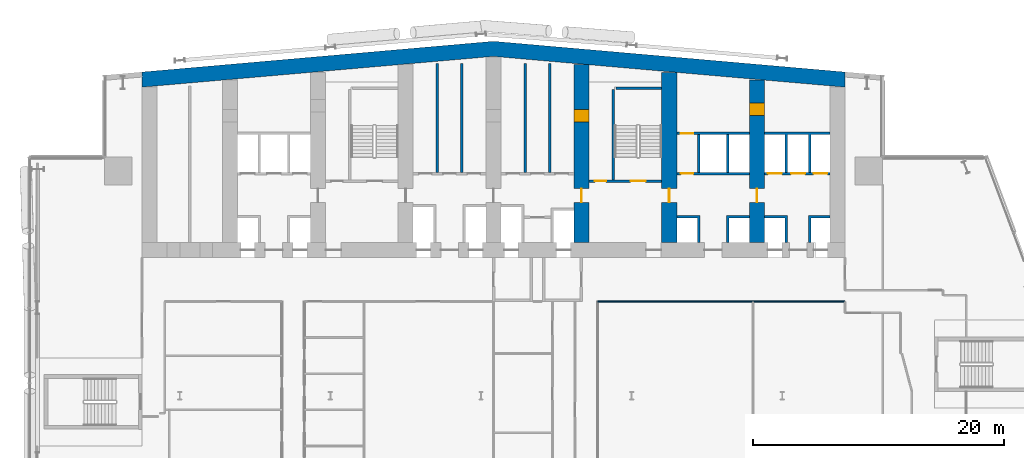
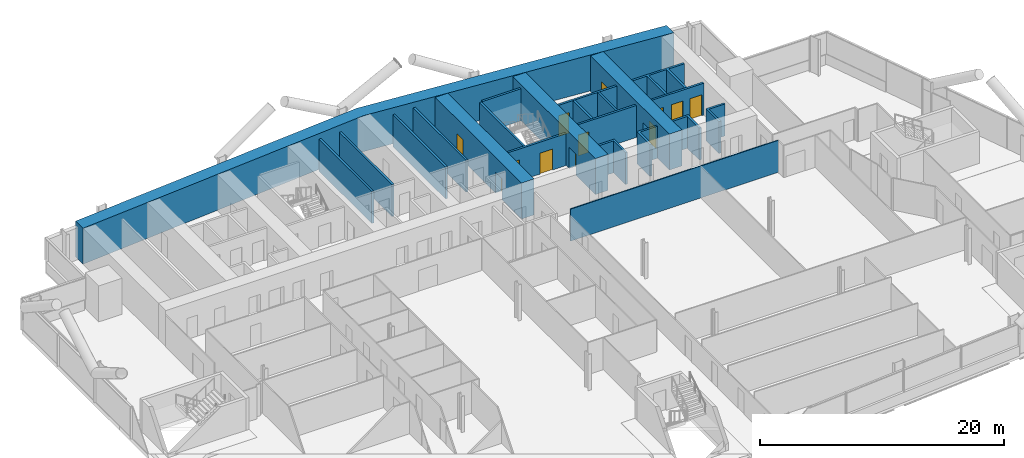
# One storey, part 17 of 27: 22 walls, 12 doors, 12 openings.
"""IFC4 building model written with IfcOpenShell, lengths in metres."""

from ifc_helpers import new_model, si_unit, direction, frame, frame_2d, origin, place, context, subcontext, project, spatial, polyline, rectangle, outline, extrude, material, layer, layer_set, type_object, element, fill, save


model = new_model("IFC4")

# Units and contexts
model_context = context("Model", 3, precision=1e-05, world=origin(), true_north=direction((0.0, 1.0)))
body_context = subcontext(model_context, "Body", "Model", "MODEL_VIEW")
ifc_project = project(units=[si_unit("LENGTHUNIT", "METRE"), si_unit("AREAUNIT", "SQUARE_METRE"), si_unit("VOLUMEUNIT", "CUBIC_METRE"), si_unit("PLANEANGLEUNIT", "RADIAN"), si_unit("MASSUNIT", "GRAM", prefix="KILO")], contexts=[model_context])

# Site, building, storey
site_placement = place(None, origin())
site = spatial("IfcSite", under=ifc_project, at=site_placement, CompositionType="ELEMENT")
building_placement = place(site_placement, origin())
building = spatial("IfcBuilding", under=site, at=building_placement, Name="Wharfspan Tower", CompositionType="ELEMENT")
storey_placement = place(building_placement, frame((0.0, 0.0, 73.899902)))
storey = spatial("IfcBuildingStorey", under=building, at=storey_placement, Name="L15", CompositionType="ELEMENT", Elevation=73.899902)

# Walls
ifc_material_1 = material(Name="Gypsum board on steel studs", Category="steel")
ifc_layer_1 = layer(ifc_material_1, 0.100098)
ifc_layer_set_1 = layer_set([ifc_layer_1], Name="Gypsum board on steel studs")
wall_type_1 = type_object("IfcWallType", Name="Compartment wall 100 EI 60", PredefinedType="PARTITIONING", material=ifc_layer_set_1)
wall_1_placement = place(storey_placement, frame((45.300049, 30.5, 0.0), z_axis=(0.0, 0.0, 1.0), x_axis=(1.0, 0.0, 0.0)))
element("IfcWall", 1, at=wall_1_placement, inside=storey, type_object=wall_type_1, Name="Partition L15.w045", PredefinedType="PARTITIONING", context=body_context, shape_type="SweptSolid", body=[
    extrude(rectangle(XDim=19.699951, YDim=0.100098, at=frame_2d((9.850098, 0.0))), origin(), (0.0, 0.0, 1.0), 3.200195),
])
ifc_material_2 = material(Name="Calcium silicate masonry", Category="masonry")
ifc_layer_2 = layer(ifc_material_2, 0.199951)
ifc_layer_set_2 = layer_set([ifc_layer_2], Name="Calcium silicate masonry")
wall_type_2 = type_object("IfcWallType", Name="Core room wall 200", PredefinedType="PARTITIONING", material=ifc_layer_set_2)
for number, where, z_axis, x_axis, name in (
    (2, (32.533203, 40.800049, 0.0), (0.0, 0.0, 1.0), (0.0, 1.0, 0.0), "sw:L15:RP3.1"),
    (3, (34.466797, 40.800049, 0.0), (0.0, 0.0, 1.0), (0.0, 1.0, 0.0), "sw:L15:RP3.2"),
    (4, (39.533203, 40.800049, 0.0), (0.0, 0.0, 1.0), (0.0, 1.0, 0.0), "sw:L15:RP4.1"),
    (5, (41.466797, 40.800049, 0.0), (0.0, 0.0, 1.0), (0.0, 1.0, 0.0), "sw:L15:RP4.2"),
):
    element("IfcWall", number, at=place(storey_placement, frame(where, z_axis=z_axis, x_axis=x_axis)), inside=storey, type_object=wall_type_2, Name=name, PredefinedType="PARTITIONING", context=body_context, shape_type="SweptSolid", body=[
        extrude(rectangle(XDim=8.652588, YDim=0.199951, at=frame_2d((4.326172, 0.0))), origin(), (0.0, 0.0, 1.0), 3.200195),
    ])
ifc_material_3 = material(Name="Concrete C70/85", Category="concrete")
ifc_layer_3 = layer(ifc_material_3, 1.199951)
ifc_layer_set_3 = layer_set([ifc_layer_3], Name="Concrete C70/85")
wall_type_3 = type_object("IfcWallType", Name="Core wall 1200 C70/85", PredefinedType="SHEAR", material=ifc_layer_set_3)
wall_2_placement = place(storey_placement, origin())
element("IfcWall", 6, at=wall_2_placement, inside=storey, type_object=wall_type_3, Name="Core rear wall L15", PredefinedType="SHEAR", context=body_context, shape_type="SweptSolid", body=[
    extrude(outline(polyline([(9.0, 47.582764), (37.0, 50.032471), (65.0, 47.582764), (65.0, 48.787354), (37.0, 51.237061), (9.0, 48.787354), (9.0, 47.582764)])), origin(), (0.0, 0.0, 1.0), 3.600098),
])

# Wall, openings, doors
wall_3_placement = place(storey_placement, frame((44.0, 35.199951, 0.0), z_axis=(0.0, 0.0, 1.0), x_axis=(0.0, 1.0, 0.0)))
wall_3 = element("IfcWall", 7, at=wall_3_placement, inside=storey, type_object=wall_type_3, Name="Core cross wall X5 L15", PredefinedType="SHEAR", context=body_context, shape_type="SweptSolid", body=[
    extrude(rectangle(XDim=14.167725, YDim=1.199951, at=frame_2d((7.083984, 0.0))), origin(), (0.0, 0.0, 1.0), 3.600098),
])
opening_1_placement = place(wall_3_placement, frame((3.199951, 0.0, 0.0)))
opening_1 = element("IfcOpeningElement", 8, at=opening_1_placement, cuts=wall_3, Name="Opening CC15.5", PredefinedType="OPENING", context=body_context, shape_type="SweptSolid", body=[
    extrude(rectangle(XDim=1.100098, YDim=2.100098, at=frame_2d((0.550049, 1.050049))), frame((0.0, 0.609863, 0.0), z_axis=(0.0, -1.0, 0.0), x_axis=(1.0, 0.0, 0.0)), (0.0, 0.0, 1.0), 1.219971),
])
opening_2_placement = place(wall_3_placement, frame((9.600098, 0.0, 0.0)))
opening_2 = element("IfcOpeningElement", 9, at=opening_2_placement, cuts=wall_3, Name="Opening CR15.5", PredefinedType="OPENING", context=body_context, shape_type="SweptSolid", body=[
    extrude(rectangle(XDim=1.0, YDim=2.100098, at=frame_2d((0.5, 1.050049))), frame((0.0, 0.609863, 0.0), z_axis=(0.0, -1.0, 0.0), x_axis=(1.0, 0.0, 0.0)), (0.0, 0.0, 1.0), 1.219971),
])
ifc_material_4 = material(Name="Steel door leaf", Category="steel")
door_type_1 = type_object("IfcDoorType", Name="Core corridor door 1100x2100", OperationType="SINGLE_SWING_LEFT", PredefinedType="DOOR", material=ifc_material_4)
door_1_placement = place(opening_1_placement, origin())
door_1 = element("IfcDoor", 10, at=door_1_placement, inside=storey, type_object=door_type_1, Name="xd:L15:5", OperationType="SINGLE_SWING_LEFT", OverallHeight=2.100098, OverallWidth=1.100098, PredefinedType="DOOR", context=body_context, shape_type="SweptSolid", body=[
    extrude(rectangle(XDim=1.100098, YDim=2.100098, at=frame_2d((0.550049, 1.050049))), frame((0.0, 0.024902, 0.0), z_axis=(0.0, -1.0, 0.0), x_axis=(1.0, 0.0, 0.0)), (0.0, 0.0, 1.0), 0.050049),
])
fill(opening_1, door_1)
door_type_2 = type_object("IfcDoorType", Name="Core room door 1000x2100", OperationType="SINGLE_SWING_LEFT", PredefinedType="DOOR", material=ifc_material_4)
door_2_placement = place(opening_2_placement, origin())
door_2 = element("IfcDoor", 11, at=door_2_placement, inside=storey, type_object=door_type_2, Name="xr:L15:5", OperationType="SINGLE_SWING_RIGHT", OverallHeight=2.100098, OverallWidth=1.0, PredefinedType="DOOR", context=body_context, shape_type="SweptSolid", body=[
    extrude(rectangle(XDim=1.0, YDim=2.100098, at=frame_2d((0.5, 1.050049))), frame((0.0, 0.599609, 0.0), z_axis=(0.0, -1.0, 0.0), x_axis=(1.0, 0.0, 0.0)), (0.0, 0.0, 1.0), 1.199463),
])
fill(opening_2, door_2)

# Wall, opening, door
wall_4_placement = place(storey_placement, frame((51.0, 35.199951, 0.0), z_axis=(0.0, 0.0, 1.0), x_axis=(0.0, 1.0, 0.0)))
wall_4 = element("IfcWall", 12, at=wall_4_placement, inside=storey, type_object=wall_type_3, Name="Core cross wall X6 L15", PredefinedType="SHEAR", context=body_context, shape_type="SweptSolid", body=[
    extrude(rectangle(XDim=13.555176, YDim=1.199951, at=frame_2d((6.777588, 0.0))), origin(), (0.0, 0.0, 1.0), 3.600098),
])
opening_3_placement = place(wall_4_placement, frame((3.199951, 0.0, 0.0)))
opening_3 = element("IfcOpeningElement", 13, at=opening_3_placement, cuts=wall_4, Name="Opening CC15.6", PredefinedType="OPENING", context=body_context, shape_type="SweptSolid", body=[
    extrude(rectangle(XDim=1.100098, YDim=2.100098, at=frame_2d((0.550049, 1.050049))), frame((0.0, 0.609863, 0.0), z_axis=(0.0, -1.0, 0.0), x_axis=(1.0, 0.0, 0.0)), (0.0, 0.0, 1.0), 1.219971),
])
door_3_placement = place(opening_3_placement, origin())
door_3 = element("IfcDoor", 14, at=door_3_placement, inside=storey, type_object=door_type_1, Name="xd:L15:6", OperationType="SINGLE_SWING_RIGHT", OverallHeight=2.100098, OverallWidth=1.100098, PredefinedType="DOOR", context=body_context, shape_type="SweptSolid", body=[
    extrude(rectangle(XDim=1.100098, YDim=2.100098, at=frame_2d((0.550049, 1.050049))), frame((0.0, 0.024902, 0.0), z_axis=(0.0, -1.0, 0.0), x_axis=(1.0, 0.0, 0.0)), (0.0, 0.0, 1.0), 0.050049),
])
fill(opening_3, door_3)

# Wall, openings, doors
wall_5_placement = place(storey_placement, frame((58.0, 35.199951, 0.0), z_axis=(0.0, 0.0, 1.0), x_axis=(0.0, 1.0, 0.0)))
wall_5 = element("IfcWall", 15, at=wall_5_placement, inside=storey, type_object=wall_type_3, Name="Core cross wall X7 L15", PredefinedType="SHEAR", context=body_context, shape_type="SweptSolid", body=[
    extrude(rectangle(XDim=12.942871, YDim=1.199951, at=frame_2d((6.471436, 0.0))), origin(), (0.0, 0.0, 1.0), 3.600098),
])
opening_4_placement = place(wall_5_placement, frame((10.133789, 0.0, 0.0)))
opening_4 = element("IfcOpeningElement", 16, at=opening_4_placement, cuts=wall_5, Name="Opening CD15.7X", PredefinedType="OPENING", context=body_context, shape_type="SweptSolid", body=[
    extrude(rectangle(XDim=1.0, YDim=2.100098, at=frame_2d((0.5, 1.050049))), frame((0.0, 0.609863, 0.0), z_axis=(0.0, -1.0, 0.0), x_axis=(1.0, 0.0, 0.0)), (0.0, 0.0, 1.0), 1.219971),
])
opening_5_placement = place(wall_5_placement, frame((3.199951, 0.0, 0.0)))
opening_5 = element("IfcOpeningElement", 17, at=opening_5_placement, cuts=wall_5, Name="Opening CC15.7", PredefinedType="OPENING", context=body_context, shape_type="SweptSolid", body=[
    extrude(rectangle(XDim=1.100098, YDim=2.100098, at=frame_2d((0.550049, 1.050049))), frame((0.0, 0.609863, 0.0), z_axis=(0.0, -1.0, 0.0), x_axis=(1.0, 0.0, 0.0)), (0.0, 0.0, 1.0), 1.219971),
])
door_4_placement = place(opening_5_placement, origin())
door_4 = element("IfcDoor", 18, at=door_4_placement, inside=storey, type_object=door_type_1, Name="xd:L15:7", OperationType="SINGLE_SWING_LEFT", OverallHeight=2.100098, OverallWidth=1.100098, PredefinedType="DOOR", context=body_context, shape_type="SweptSolid", body=[
    extrude(rectangle(XDim=1.100098, YDim=2.100098, at=frame_2d((0.550049, 1.050049))), frame((0.0, 0.024902, 0.0), z_axis=(0.0, -1.0, 0.0), x_axis=(1.0, 0.0, 0.0)), (0.0, 0.0, 1.0), 0.050049),
])
fill(opening_5, door_4)
door_5_placement = place(opening_4_placement, origin())
door_5 = element("IfcDoor", 19, at=door_5_placement, inside=storey, type_object=door_type_2, Name="d:L15:7:sx", OperationType="SINGLE_SWING_LEFT", OverallHeight=2.100098, OverallWidth=1.0, PredefinedType="DOOR", context=body_context, shape_type="SweptSolid", body=[
    extrude(rectangle(XDim=1.0, YDim=2.100098, at=frame_2d((0.5, 1.050049))), frame((0.0, 0.599609, 0.0), z_axis=(0.0, -1.0, 0.0), x_axis=(1.0, 0.0, 0.0)), (0.0, 0.0, 1.0), 1.199463),
])
fill(opening_4, door_5)

# Wall, opening, door
ifc_material_5 = material(Name="Concrete C30/37", Category="concrete")
ifc_layer_4 = layer(ifc_material_5, 0.199951)
ifc_layer_set_4 = layer_set([ifc_layer_4], Name="Concrete C30/37")
wall_type_4 = type_object("IfcWallType", Name="Lift shaft wall 200", PredefinedType="PARTITIONING", material=ifc_layer_set_4)
wall_6_placement = place(storey_placement, frame((51.600098, 40.699951, 0.0), z_axis=(0.0, 0.0, 1.0), x_axis=(1.0, 0.0, 0.0)))
wall_6 = element("IfcWall", 20, at=wall_6_placement, inside=storey, type_object=wall_type_4, Name="sw:L15:RF6", PredefinedType="PARTITIONING", context=body_context, shape_type="SweptSolid", body=[
    extrude(rectangle(XDim=5.799805, YDim=0.199951, at=frame_2d((2.899902, 0.0))), origin(), (0.0, 0.0, 1.0), 3.200195),
])
opening_6_placement = place(wall_6_placement, frame((0.31665, 0.0, 0.0)))
opening_6 = element("IfcOpeningElement", 21, at=opening_6_placement, cuts=wall_6, Name="Opening CD15.6R1", PredefinedType="OPENING", context=body_context, shape_type="SweptSolid", body=[
    extrude(rectangle(XDim=1.0, YDim=2.100098, at=frame_2d((0.5, 1.050049))), frame((0.0, 0.109863, 0.0), z_axis=(0.0, -1.0, 0.0), x_axis=(1.0, 0.0, 0.0)), (0.0, 0.0, 1.0), 0.219971),
])
door_6_placement = place(opening_6_placement, origin())
door_6 = element("IfcDoor", 22, at=door_6_placement, inside=storey, type_object=door_type_2, Name="d:L15:6:rd6.1", OperationType="SINGLE_SWING_RIGHT", OverallHeight=2.100098, OverallWidth=1.0, PredefinedType="DOOR", context=body_context, shape_type="SweptSolid", body=[
    extrude(rectangle(XDim=1.0, YDim=2.100098, at=frame_2d((0.5, 1.050049))), frame((0.0, 0.024902, 0.0), z_axis=(0.0, -1.0, 0.0), x_axis=(1.0, 0.0, 0.0)), (0.0, 0.0, 1.0), 0.050049),
])
fill(opening_6, door_6)

wall_7_placement = place(storey_placement, frame((51.600098, 43.899902, 0.0), z_axis=(0.0, 0.0, 1.0), x_axis=(1.0, 0.0, 0.0)))
wall_7 = element("IfcWall", 23, at=wall_7_placement, inside=storey, type_object=wall_type_4, Name="sw:L15:RR6", PredefinedType="PARTITIONING", context=body_context, shape_type="SweptSolid", body=[
    extrude(rectangle(XDim=5.799805, YDim=0.199951, at=frame_2d((2.899902, 0.0))), origin(), (0.0, 0.0, 1.0), 3.200195),
])
opening_7_placement = place(wall_7_placement, frame((0.31665, 0.0, 0.0)))
opening_7 = element("IfcOpeningElement", 24, at=opening_7_placement, cuts=wall_7, Name="Opening CD15.6S1", PredefinedType="OPENING", context=body_context, shape_type="SweptSolid", body=[
    extrude(rectangle(XDim=1.0, YDim=2.100098, at=frame_2d((0.5, 1.050049))), frame((0.0, 0.109863, 0.0), z_axis=(0.0, -1.0, 0.0), x_axis=(1.0, 0.0, 0.0)), (0.0, 0.0, 1.0), 0.219971),
])
door_7_placement = place(opening_7_placement, origin())
door_7 = element("IfcDoor", 25, at=door_7_placement, inside=storey, type_object=door_type_2, Name="d:L15:6:rs6.1", OperationType="SINGLE_SWING_LEFT", OverallHeight=2.100098, OverallWidth=1.0, PredefinedType="DOOR", context=body_context, shape_type="SweptSolid", body=[
    extrude(rectangle(XDim=1.0, YDim=2.100098, at=frame_2d((0.5, 1.050049))), frame((0.0, 0.024902, 0.0), z_axis=(0.0, -1.0, 0.0), x_axis=(1.0, 0.0, 0.0)), (0.0, 0.0, 1.0), 0.050049),
])
fill(opening_7, door_7)

# Walls
wall_8_placement = place(storey_placement, origin())
element("IfcWall", 26, at=wall_8_placement, inside=storey, type_object=wall_type_4, Name="sw:L15:FM6.0", PredefinedType="PARTITIONING", context=body_context, shape_type="SweptSolid", body=[
    extrude(outline(polyline([(53.233398, 37.149902), (51.600098, 37.149902), (51.600098, 37.350098), (53.233398, 37.350098), (53.43335, 37.350098), (53.43335, 35.199951), (53.233398, 35.199951), (53.233398, 37.149902)])), origin(), (0.0, 0.0, 1.0), 3.200195),
])
wall_9_placement = place(storey_placement, origin())
element("IfcWall", 27, at=wall_9_placement, inside=storey, type_object=wall_type_4, Name="sw:L15:FM6.1", PredefinedType="PARTITIONING", context=body_context, shape_type="SweptSolid", body=[
    extrude(outline(polyline([(55.56665, 37.350098), (55.766602, 37.350098), (57.399902, 37.350098), (57.399902, 37.149902), (55.766602, 37.149902), (55.766602, 35.199951), (55.56665, 35.199951), (55.56665, 37.350098)])), origin(), (0.0, 0.0, 1.0), 3.200195),
])
wall_10_placement = place(storey_placement, origin())
element("IfcWall", 28, at=wall_10_placement, inside=storey, type_object=wall_type_4, Name="sw:L15:RM6.0", PredefinedType="PARTITIONING", context=body_context, shape_type="SweptSolid", body=[
    extrude(outline(polyline([(53.233398, 40.800049), (53.233398, 43.800049), (53.43335, 43.800049), (53.43335, 40.800049), (53.233398, 40.800049)])), origin(), (0.0, 0.0, 1.0), 3.200195),
])
wall_11_placement = place(storey_placement, origin())
element("IfcWall", 29, at=wall_11_placement, inside=storey, type_object=wall_type_4, Name="sw:L15:RM6.1", PredefinedType="PARTITIONING", context=body_context, shape_type="SweptSolid", body=[
    extrude(outline(polyline([(55.56665, 40.800049), (55.56665, 43.800049), (55.766602, 43.800049), (55.766602, 40.800049), (55.56665, 40.800049)])), origin(), (0.0, 0.0, 1.0), 3.200195),
])

# Wall, openings, doors
wall_12_placement = place(storey_placement, frame((58.600098, 40.699951, 0.0), z_axis=(0.0, 0.0, 1.0), x_axis=(1.0, 0.0, 0.0)))
wall_12 = element("IfcWall", 30, at=wall_12_placement, inside=storey, type_object=wall_type_4, Name="sw:L15:RF7", PredefinedType="PARTITIONING", context=body_context, shape_type="SweptSolid", body=[
    extrude(rectangle(XDim=5.199951, YDim=0.199951, at=frame_2d((2.600098, 0.0))), origin(), (0.0, 0.0, 1.0), 3.200195),
])
opening_8_placement = place(wall_12_placement, frame((0.266602, 0.0, 0.0)))
opening_8 = element("IfcOpeningElement", 31, at=opening_8_placement, cuts=wall_12, Name="Opening LD.LA8.L15", PredefinedType="OPENING", context=body_context, shape_type="SweptSolid", body=[
    extrude(rectangle(XDim=1.100098, YDim=2.100098, at=frame_2d((0.550049, 1.050049))), frame((0.0, 0.109863, 0.0), z_axis=(0.0, -1.0, 0.0), x_axis=(1.0, 0.0, 0.0)), (0.0, 0.0, 1.0), 0.219971),
])
opening_9_placement = place(wall_12_placement, frame((2.116699, 0.0, 0.0)))
opening_9 = element("IfcOpeningElement", 32, at=opening_9_placement, cuts=wall_12, Name="Opening LD.LA9.L15", PredefinedType="OPENING", context=body_context, shape_type="SweptSolid", body=[
    extrude(rectangle(XDim=1.100098, YDim=2.100098, at=frame_2d((0.550049, 1.050049))), frame((0.0, 0.109863, 0.0), z_axis=(0.0, -1.0, 0.0), x_axis=(1.0, 0.0, 0.0)), (0.0, 0.0, 1.0), 0.219971),
])
opening_10_placement = place(wall_12_placement, frame((3.899902, 0.0, 0.0)))
opening_10 = element("IfcOpeningElement", 33, at=opening_10_placement, cuts=wall_12, Name="Opening LD.LA10.L15", PredefinedType="OPENING", context=body_context, shape_type="SweptSolid", body=[
    extrude(rectangle(XDim=1.100098, YDim=2.100098, at=frame_2d((0.550049, 1.050049))), frame((0.0, 0.109863, 0.0), z_axis=(0.0, -1.0, 0.0), x_axis=(1.0, 0.0, 0.0)), (0.0, 0.0, 1.0), 0.219971),
])
ifc_material_6 = material(Name="Stainless steel", Category="steel")
door_type_3 = type_object("IfcDoorType", Name="Lift landing door 1100x2100", OperationType="DOUBLE_DOOR_SLIDING", PredefinedType="DOOR", material=ifc_material_6)
door_8_placement = place(opening_8_placement, origin())
door_8 = element("IfcDoor", 34, at=door_8_placement, inside=storey, type_object=door_type_3, Name="Landing door LA8 L15", OperationType="DOUBLE_DOOR_SLIDING", OverallHeight=2.100098, OverallWidth=1.100098, PredefinedType="DOOR", context=body_context, shape_type="SweptSolid", body=[
    extrude(rectangle(XDim=1.100098, YDim=2.100098, at=frame_2d((0.550049, 1.050049))), frame((0.0, 0.024902, 0.0), z_axis=(0.0, -1.0, 0.0), x_axis=(1.0, 0.0, 0.0)), (0.0, 0.0, 1.0), 0.050049),
])
fill(opening_8, door_8)
door_9_placement = place(opening_9_placement, origin())
door_9 = element("IfcDoor", 35, at=door_9_placement, inside=storey, type_object=door_type_3, Name="Landing door LA9 L15", OperationType="DOUBLE_DOOR_SLIDING", OverallHeight=2.100098, OverallWidth=1.100098, PredefinedType="DOOR", context=body_context, shape_type="SweptSolid", body=[
    extrude(rectangle(XDim=1.100098, YDim=2.100098, at=frame_2d((0.550049, 1.050049))), frame((0.0, 0.024902, 0.0), z_axis=(0.0, -1.0, 0.0), x_axis=(1.0, 0.0, 0.0)), (0.0, 0.0, 1.0), 0.050049),
])
fill(opening_9, door_9)
door_10_placement = place(opening_10_placement, origin())
door_10 = element("IfcDoor", 36, at=door_10_placement, inside=storey, type_object=door_type_3, Name="Landing door LA10 L15", OperationType="DOUBLE_DOOR_SLIDING", OverallHeight=2.100098, OverallWidth=1.100098, PredefinedType="DOOR", context=body_context, shape_type="SweptSolid", body=[
    extrude(rectangle(XDim=1.100098, YDim=2.100098, at=frame_2d((0.550049, 1.050049))), frame((0.0, 0.024902, 0.0), z_axis=(0.0, -1.0, 0.0), x_axis=(1.0, 0.0, 0.0)), (0.0, 0.0, 1.0), 0.050049),
])
fill(opening_10, door_10)

# Walls
wall_13_placement = place(storey_placement, origin())
element("IfcWall", 37, at=wall_13_placement, inside=storey, type_object=wall_type_4, Name="sw:L15:FM7.0", PredefinedType="PARTITIONING", context=body_context, shape_type="SweptSolid", body=[
    extrude(outline(polyline([(60.233398, 37.149902), (58.600098, 37.149902), (58.600098, 37.350098), (60.233398, 37.350098), (60.43335, 37.350098), (60.43335, 35.199951), (60.233398, 35.199951), (60.233398, 37.149902)])), origin(), (0.0, 0.0, 1.0), 3.200195),
])
wall_14_placement = place(storey_placement, origin())
element("IfcWall", 38, at=wall_14_placement, inside=storey, type_object=wall_type_4, Name="sw:L15:FM7.1", PredefinedType="PARTITIONING", context=body_context, shape_type="SweptSolid", body=[
    extrude(outline(polyline([(62.100098, 37.350098), (62.300049, 37.350098), (63.800049, 37.350098), (63.800049, 37.149902), (62.300049, 37.149902), (62.300049, 35.199951), (62.100098, 35.199951), (62.100098, 37.350098)])), origin(), (0.0, 0.0, 1.0), 3.200195),
])
wall_15_placement = place(storey_placement, origin())
element("IfcWall", 39, at=wall_15_placement, inside=storey, type_object=wall_type_4, Name="sw:L15:RM7.0", PredefinedType="PARTITIONING", context=body_context, shape_type="SweptSolid", body=[
    extrude(outline(polyline([(60.43335, 40.800049), (60.233398, 40.800049), (60.233398, 43.800049), (58.600098, 43.800049), (58.600098, 44.0), (63.800049, 44.0), (63.800049, 43.800049), (62.300049, 43.800049), (62.300049, 40.800049), (62.100098, 40.800049), (62.100098, 43.800049), (60.43335, 43.800049), (60.43335, 40.800049)])), origin(), (0.0, 0.0, 1.0), 3.200195),
])

# Wall, openings, doors
ifc_material_7 = material(Name="Concrete C40/50", Category="concrete")
ifc_layer_5 = layer(ifc_material_7, 0.199951)
ifc_layer_set_5 = layer_set([ifc_layer_5], Name="Concrete C40/50")
wall_type_5 = type_object("IfcWallType", Name="Stair shaft wall 200", PredefinedType="SHEAR", material=ifc_layer_set_5)
wall_16_placement = place(storey_placement, frame((44.600098, 40.100098, 0.0), z_axis=(0.0, 0.0, 1.0), x_axis=(1.0, 0.0, 0.0)))
wall_16 = element("IfcWall", 40, at=wall_16_placement, inside=storey, type_object=wall_type_5, Name="ST2 stair enclosure wall L15", PredefinedType="SHEAR", context=body_context, shape_type="SweptSolid", body=[
    extrude(rectangle(XDim=5.799805, YDim=0.199951, at=frame_2d((2.899902, 0.0))), origin(), (0.0, 0.0, 1.0), 3.200195),
])
opening_11_placement = place(wall_16_placement, frame((3.324951, 0.0, 0.0)))
opening_11 = element("IfcOpeningElement", 41, at=opening_11_placement, cuts=wall_16, Name="Opening SD5.L15", PredefinedType="OPENING", context=body_context, shape_type="SweptSolid", body=[
    extrude(rectangle(XDim=1.199951, YDim=2.100098, at=frame_2d((0.600098, 1.050049))), frame((0.0, 0.109863, 0.0), z_axis=(0.0, -1.0, 0.0), x_axis=(1.0, 0.0, 0.0)), (0.0, 0.0, 1.0), 0.219971),
])
opening_12_placement = place(wall_16_placement, frame((0.475098, 0.0, 0.0)))
opening_12 = element("IfcOpeningElement", 42, at=opening_12_placement, cuts=wall_16, Name="Opening CD15.5R", PredefinedType="OPENING", context=body_context, shape_type="SweptSolid", body=[
    extrude(rectangle(XDim=0.899902, YDim=2.100098, at=frame_2d((0.449951, 1.050049))), frame((0.0, 0.109863, 0.0), z_axis=(0.0, -1.0, 0.0), x_axis=(1.0, 0.0, 0.0)), (0.0, 0.0, 1.0), 0.219971),
])
door_11_placement = place(opening_12_placement, origin())
door_11 = element("IfcDoor", 43, at=door_11_placement, inside=storey, type_object=door_type_2, Name="rk:L15:5", OperationType="SINGLE_SWING_LEFT", OverallHeight=2.100098, OverallWidth=0.899902, PredefinedType="DOOR", context=body_context, shape_type="SweptSolid", body=[
    extrude(rectangle(XDim=0.899902, YDim=2.100098, at=frame_2d((0.449951, 1.050049))), frame((0.0, 0.024902, 0.0), z_axis=(0.0, -1.0, 0.0), x_axis=(1.0, 0.0, 0.0)), (0.0, 0.0, 1.0), 0.050049),
])
fill(opening_12, door_11)
door_type_4 = type_object("IfcDoorType", Name="Stair door 1200x2100", OperationType="SINGLE_SWING_LEFT", PredefinedType="DOOR", material=ifc_material_4)
door_12_placement = place(opening_11_placement, origin())
door_12 = element("IfcDoor", 44, at=door_12_placement, inside=storey, type_object=door_type_4, Name="sd:L15:5", OperationType="SINGLE_SWING_RIGHT", OverallHeight=2.100098, OverallWidth=1.199951, PredefinedType="DOOR", context=body_context, shape_type="SweptSolid", body=[
    extrude(rectangle(XDim=1.199951, YDim=2.100098, at=frame_2d((0.600098, 1.050049))), frame((0.0, 0.024902, 0.0), z_axis=(0.0, -1.0, 0.0), x_axis=(1.0, 0.0, 0.0)), (0.0, 0.0, 1.0), 0.050049),
])
fill(opening_11, door_12)

# Walls
wall_17_placement = place(storey_placement, frame((46.550049, 40.199951, 0.0), z_axis=(0.0, 0.0, 1.0), x_axis=(0.0, 1.0, 0.0)))
element("IfcWall", 45, at=wall_17_placement, inside=storey, type_object=wall_type_5, Name="ST2 stair enclosure wall L15", PredefinedType="SHEAR", context=body_context, shape_type="SweptSolid", body=[
    extrude(rectangle(XDim=7.199951, YDim=0.199951, at=frame_2d((3.600098, 0.0))), origin(), (0.0, 0.0, 1.0), 3.200195),
])
wall_18_placement = place(storey_placement, frame((46.75, 47.5, 0.0), z_axis=(0.0, 0.0, 1.0), x_axis=(1.0, 0.0, 0.0)))
element("IfcWall", 46, at=wall_18_placement, inside=storey, type_object=wall_type_5, Name="ST2 stair enclosure wall L15", PredefinedType="SHEAR", context=body_context, shape_type="SweptSolid", body=[
    extrude(rectangle(XDim=3.649902, YDim=0.199951, at=frame_2d((1.824951, 0.0))), origin(), (0.0, 0.0, 1.0), 3.200195),
])

save(model, "model.ifc")
